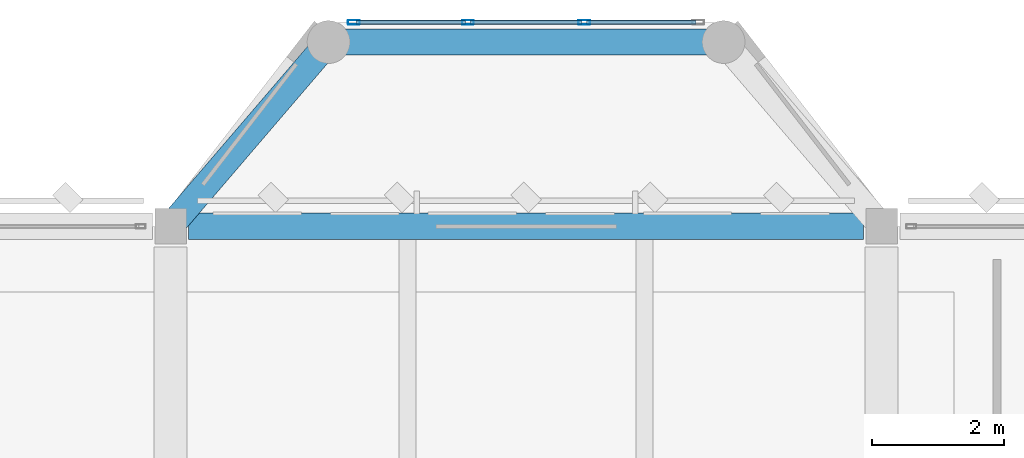
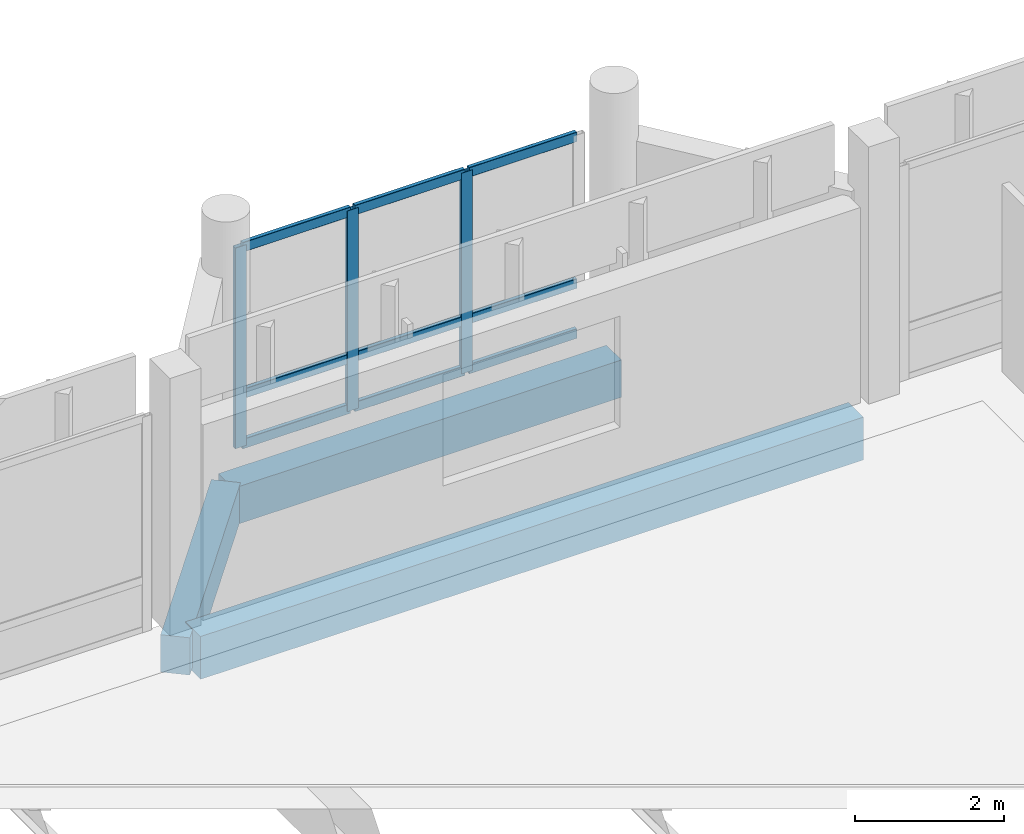
# One storey, part 23 of 72: 12 members, 3 beams, 1 element without a shape of its own.
"""IFC4 building model written with IfcOpenShell, lengths in metres."""

import ifcopenshell
import ifcopenshell.guid

model = None  # the IFC model being written
_history = None  # IfcOwnerHistory: only IFC2X3 demands one
_inside = {}  # id of a spatial element -> (the spatial element, [elements in it])
_under = {}  # id of a project, library or spatial element -> (it, [spatial elements below it])
_declared = {}  # id of a project -> (the project, [libraries it declares])
_typed = {}  # id of a type object -> (the type object, [elements of that type])
_made_of = {}  # id of a material, layer set ... -> (it, [elements and type objects made of it])


def new_model(schema):
    """Start an empty IFC model of exactly this schema.

    Asked for "IFC4X3", IfcOpenShell would pick the latest addendum, in which some entities
    have other attributes; the version numbers below select the first issue.
    IFC2X3 requires an IfcOwnerHistory on every rooted entity: one is made here for all.
    """
    global model, _history
    if schema == "IFC4X3":
        model = ifcopenshell.file(schema_version=(4, 3, 0, 0))
    else:
        model = ifcopenshell.file(schema=schema)
    _inside.clear()
    _under.clear()
    _declared.clear()
    _typed.clear()
    _made_of.clear()
    _history = None
    if model.schema == "IFC2X3":
        org = make("IfcOrganization", Name="unknown")
        user = make(
            "IfcPersonAndOrganization",
            ThePerson=make("IfcPerson", FamilyName="unknown"),
            TheOrganization=org,
        )
        app = make(
            "IfcApplication",
            ApplicationDeveloper=org,
            Version="unknown",
            ApplicationFullName="unknown",
            ApplicationIdentifier="unknown",
        )
        _history = make(
            "IfcOwnerHistory",
            OwningUser=user,
            OwningApplication=app,
            ChangeAction="ADDED",
            CreationDate=0,
        )
    return model


def make(cls, **values):
    """One entity of the class cls with the attributes given. An attribute that is None is left unset."""
    return model.create_entity(
        cls, **{name: value for name, value in values.items() if value is not None}
    )


def rooted(cls, **values):
    """An entity with a GlobalId (a new one), such as an element, a storey or a relation."""
    return make(cls, GlobalId=ifcopenshell.guid.new(), OwnerHistory=_history, **values)


def si_unit(unit_type, name, prefix=None):
    """IfcSIUnit, for example si_unit("LENGTHUNIT", "METRE", prefix="MILLI")."""
    return make("IfcSIUnit", UnitType=unit_type, Prefix=prefix, Name=name)


def assignment(units):
    """IfcUnitAssignment: the units of a project."""
    return None if units is None else make("IfcUnitAssignment", Units=units)


def point(xyz):
    """IfcCartesianPoint."""
    return None if xyz is None else make("IfcCartesianPoint", Coordinates=xyz)


def direction(xyz):
    """IfcDirection."""
    return None if xyz is None else make("IfcDirection", DirectionRatios=xyz)


def frame(location, z_axis=None, x_axis=None):
    """IfcAxis2Placement3D, a coordinate frame: its origin and axes. An axis left out is left unset."""
    return make(
        "IfcAxis2Placement3D",
        Location=point(location),
        Axis=direction(z_axis),
        RefDirection=direction(x_axis),
    )


def frame_2d(location, x_axis=None):
    """IfcAxis2Placement2D, a coordinate frame in the plane: its origin and x axis."""
    return make(
        "IfcAxis2Placement2D", Location=point(location), RefDirection=direction(x_axis)
    )


def origin():
    """The frame at (0, 0, 0) with its axes left unset."""
    return frame((0.0, 0.0, 0.0))


def origin_2d():
    """The frame at (0, 0) in the plane with its x axis left unset."""
    return frame_2d((0.0, 0.0))


def place(relative_to, where):
    """IfcLocalPlacement: puts the frame where relative to a parent placement (None: the world)."""
    return make(
        "IfcLocalPlacement", PlacementRelTo=relative_to, RelativePlacement=where
    )


def context(
    kind, dimensions, precision=None, world=None, true_north=None, identifier=None
):
    """IfcGeometricRepresentationContext, for example the 3D "Model" context."""
    return make(
        "IfcGeometricRepresentationContext",
        ContextIdentifier=identifier,
        ContextType=kind,
        CoordinateSpaceDimension=dimensions,
        Precision=precision,
        WorldCoordinateSystem=world,
        TrueNorth=true_north,
    )


def subcontext(parent, identifier, kind, view, scale=None):
    """IfcGeometricRepresentationSubContext, for example "Body" below "Model"."""
    return make(
        "IfcGeometricRepresentationSubContext",
        ContextIdentifier=identifier,
        ContextType=kind,
        ParentContext=parent,
        TargetScale=scale,
        TargetView=view,
    )


def project(units=None, contexts=None):
    """IfcProject with its units and contexts."""
    return rooted(
        "IfcProject",
        Name="project",
        RepresentationContexts=contexts,
        UnitsInContext=assignment(units),
    )


def spatial(cls, under=None, at=None, **own):
    """A site, building, storey or space (cls), placed at a placement, below another one or the project."""
    s = rooted(cls, ObjectPlacement=at, **own)
    if under is not None:
        _under.setdefault(under.id(), (under, []))[1].append(s)
    return s


def profile(cls, at=None, kind="AREA", **sizes):
    """A parametric profile (cls). Its sizes go by their IFC names, for example OverallWidth=200.0."""
    return make(cls, ProfileType=kind, Position=at, **sizes)


def rectangle(**sizes):
    """IfcRectangleProfileDef."""
    return profile("IfcRectangleProfileDef", **sizes)


def hollow_rectangle(**sizes):
    """IfcRectangleHollowProfileDef."""
    return profile("IfcRectangleHollowProfileDef", **sizes)


def extrude(swept, where, along, depth):
    """IfcExtrudedAreaSolid: the profile swept, set in the frame where, extruded along a direction by depth."""
    return make(
        "IfcExtrudedAreaSolid",
        SweptArea=swept,
        Position=where,
        ExtrudedDirection=direction(along),
        Depth=depth,
    )


def shape(context_of_items, identifier, shape_type, items):
    """IfcShapeRepresentation: the items that make up one representation, for example the "Body"."""
    return make(
        "IfcShapeRepresentation",
        ContextOfItems=context_of_items,
        RepresentationIdentifier=identifier,
        RepresentationType=shape_type,
        Items=items,
    )


def material(Name=None, Category=None):
    """IfcMaterial."""
    return make("IfcMaterial", Name=Name, Category=Category)


def material_profile(
    of_material, cross_section, Name=None, Category=None, Priority=None
):
    """IfcMaterialProfile: a cross section and its material."""
    return make(
        "IfcMaterialProfile",
        Name=Name,
        Material=of_material,
        Profile=cross_section,
        Priority=Priority,
        Category=Category,
    )


def profile_set(profiles, Name=None, composite=None):
    """IfcMaterialProfileSet."""
    return make(
        "IfcMaterialProfileSet",
        Name=Name,
        MaterialProfiles=profiles,
        CompositeProfile=composite,
    )


def made_of(thing, what):
    """Note that an element or type object is made of a material, layer set ...; save() writes the relation."""
    if what is not None:
        _made_of.setdefault(what.id(), (what, []))[1].append(thing)
    return thing


def type_object(cls, material=None, **own):
    """A type object (cls), such as IfcWallType, which elements share."""
    return made_of(rooted(cls, **own), material)


def element(
    cls,
    number,
    at=None,
    inside=None,
    cuts=None,
    type_object=None,
    material=None,
    context=None,
    identifier="Body",
    shape_type=None,
    held_by="IfcProductDefinitionShape",
    body=None,
    shapes=None,
    **own,
):
    """One element of the class cls, such as IfcWall. Its Tag is "e" and its number.

    at: its placement. inside: the storey or other place that contains it. cuts: it is an
    opening in that element (IfcRelVoidsElement). A single representation is given by context,
    identifier, shape_type and body (its items); several are given by shapes. held_by: the class
    of the entity that holds the representations. save() writes the other relations.
    """
    e = rooted(cls, Tag="e%d" % number, ObjectPlacement=at, **own)
    if body is not None:
        shapes = [shape(context, identifier, shape_type, body)]
    if shapes is not None:
        e.Representation = make(held_by, Representations=shapes)
    if inside is not None:
        _inside.setdefault(inside.id(), (inside, []))[1].append(e)
    if cuts is not None:
        rooted(
            "IfcRelVoidsElement", RelatingBuildingElement=cuts, RelatedOpeningElement=e
        )
    if type_object is not None:
        _typed.setdefault(type_object.id(), (type_object, []))[1].append(e)
    return made_of(e, material)


def aggregate(whole, parts):
    """IfcRelAggregates: a whole, such as a stair, and the parts it consists of."""
    return rooted("IfcRelAggregates", RelatingObject=whole, RelatedObjects=parts)


def save(model, path):
    """Write the relations noted so far, then the file.

    IfcRelAggregates (storeys below a building ...), IfcRelContainedInSpatialStructure (elements
    in a storey), IfcRelDefinesByType, IfcRelAssociatesMaterial and IfcRelDeclares: one each for
    every whole, place, type object, material and project.
    """
    for whole, parts in _under.values():
        aggregate(whole, parts)
    for where, things in _inside.values():
        rooted(
            "IfcRelContainedInSpatialStructure",
            RelatedElements=things,
            RelatingStructure=where,
        )
    for kind, things in _typed.values():
        rooted("IfcRelDefinesByType", RelatedObjects=things, RelatingType=kind)
    for what, things in _made_of.values():
        rooted("IfcRelAssociatesMaterial", RelatedObjects=things, RelatingMaterial=what)
    for by, libraries in _declared.values():
        rooted("IfcRelDeclares", RelatingContext=by, RelatedDefinitions=libraries)
    model.write(path)


model = new_model("IFC4")

# Units and contexts
model_context = context("Model", 3, precision=1e-05, world=origin(), true_north=direction((0.0, 1.0)))
body_context = subcontext(model_context, "Body", "Model", "MODEL_VIEW")
ifc_project = project(units=[si_unit("LENGTHUNIT", "METRE"), si_unit("AREAUNIT", "SQUARE_METRE"), si_unit("VOLUMEUNIT", "CUBIC_METRE"), si_unit("PLANEANGLEUNIT", "RADIAN"), si_unit("MASSUNIT", "GRAM", prefix="KILO")], contexts=[model_context])

# Site, building, storey
site_placement = place(None, origin())
site = spatial("IfcSite", under=ifc_project, at=site_placement, CompositionType="ELEMENT")
building_placement = place(site_placement, origin())
building = spatial("IfcBuilding", under=site, at=building_placement, Name="Lusvemor Sports Hall", CompositionType="ELEMENT")
storey_placement = place(building_placement, frame((0.0, 0.0, 15.0)))
storey = spatial("IfcBuildingStorey", under=building, at=storey_placement, Name="L03", CompositionType="ELEMENT", Elevation=15.0)

# Curtain wall, members
ifc_material_1 = material(Name="Thermally broken bronze-anodized aluminium", Category="aluminium")
curtain_wall_type = type_object("IfcCurtainWallType", Name="CW_FOYER_A", PredefinedType="NOTDEFINED", material=ifc_material_1)
curtain_wall_placement = place(storey_placement, origin())
curtain_wall = element("IfcCurtainWall", 1, at=curtain_wall_placement, inside=storey, type_object=curtain_wall_type, Name="Curtain Wall CW-BOW-N1-L03-M", PredefinedType="NOTDEFINED")
ifc_material_2 = material(Name="Thermally broken bronze-anodized aluminium", Category="aluminium")
ifc_material_profile_1 = material_profile(ifc_material_2, hollow_rectangle(XDim=0.070068359375, YDim=0.179931640625, WallThickness=0.0048828125, InnerFilletRadius=0.0048828125, OuterFilletRadius=0.010009765625, at=origin_2d()), Name="CWMUL180x70x5")
ifc_profile_set_1 = profile_set([ifc_material_profile_1], Name="Thermally broken bronze-anodized aluminium")
member_type_1 = type_object("IfcMemberType", Name="CW_MUL_A", PredefinedType="MULLION", material=ifc_profile_set_1)
member_1_placement = place(storey_placement, frame((24.385009765625, 118.300048828125, 0.0), z_axis=(0.0, 0.0, 1.0), x_axis=(0.0, 1.0, 0.0)))
member_1 = element("IfcMember", 2, at=member_1_placement, type_object=member_type_1, Name="CW01 mullion 1", PredefinedType="MULLION", context=body_context, shape_type="SweptSolid", body=[
    extrude(hollow_rectangle(XDim=0.070068359375, YDim=0.179931640625, WallThickness=0.0048828125, InnerFilletRadius=0.0048828125, OuterFilletRadius=0.010009765625, at=origin_2d()), origin(), (0.0, 0.0, 1.0), 3.280029296875),
])
member_2_placement = place(storey_placement, frame((26.11669921875, 118.300048828125, 0.0), z_axis=(0.0, 0.0, 1.0), x_axis=(0.0, 1.0, 0.0)))
member_2 = element("IfcMember", 3, at=member_2_placement, type_object=member_type_1, Name="CW01 mullion 2", PredefinedType="MULLION", context=body_context, shape_type="SweptSolid", body=[
    extrude(hollow_rectangle(XDim=0.070068359375, YDim=0.179931640625, WallThickness=0.0048828125, InnerFilletRadius=0.0048828125, OuterFilletRadius=0.010009765625, at=origin_2d()), origin(), (0.0, 0.0, 1.0), 3.280029296875),
])
member_3_placement = place(storey_placement, frame((27.88330078125, 118.300048828125, 0.0), z_axis=(0.0, 0.0, 1.0), x_axis=(0.0, 1.0, 0.0)))
member_3 = element("IfcMember", 4, at=member_3_placement, type_object=member_type_1, Name="CW01 mullion 3", PredefinedType="MULLION", context=body_context, shape_type="SweptSolid", body=[
    extrude(hollow_rectangle(XDim=0.070068359375, YDim=0.179931640625, WallThickness=0.0048828125, InnerFilletRadius=0.0048828125, OuterFilletRadius=0.010009765625, at=origin_2d()), origin(), (0.0, 0.0, 1.0), 3.280029296875),
])
ifc_material_3 = material(Name="Thermally broken bronze-anodized aluminium", Category="aluminium")
ifc_material_profile_2 = material_profile(ifc_material_3, hollow_rectangle(XDim=0.06494140625, YDim=0.159912109375, WallThickness=0.00390625, InnerFilletRadius=0.00390625, OuterFilletRadius=0.008056640625, at=origin_2d()), Name="CWTRN160x65x4")
ifc_profile_set_2 = profile_set([ifc_material_profile_2], Name="Thermally broken bronze-anodized aluminium")
member_type_2 = type_object("IfcMemberType", Name="CW_TRN_A", PredefinedType="USERDEFINED", material=ifc_profile_set_2)
member_4_placement = place(storey_placement, frame((24.419921875, 118.300048828125, 0.032470703125), z_axis=(1.0, 0.0, 0.0), x_axis=(0.0, 1.0, 0.0)))
member_4 = element("IfcMember", 5, at=member_4_placement, type_object=member_type_2, Name="CW01 transom 1.1", ObjectType="TRANSOM", PredefinedType="USERDEFINED", context=body_context, shape_type="SweptSolid", body=[
    extrude(hollow_rectangle(XDim=0.06494140625, YDim=0.159912109375, WallThickness=0.00390625, InnerFilletRadius=0.00390625, OuterFilletRadius=0.008056640625, at=origin_2d()), origin(), (0.0, 0.0, 1.0), 1.661865234375),
])
member_5_placement = place(storey_placement, frame((24.419921875, 118.300048828125, 0.85009765625), z_axis=(1.0, 0.0, 0.0), x_axis=(0.0, 1.0, 0.0)))
member_5 = element("IfcMember", 6, at=member_5_placement, type_object=member_type_2, Name="CW01 transom 1.2", ObjectType="TRANSOM", PredefinedType="USERDEFINED", context=body_context, shape_type="SweptSolid", body=[
    extrude(hollow_rectangle(XDim=0.06494140625, YDim=0.159912109375, WallThickness=0.00390625, InnerFilletRadius=0.00390625, OuterFilletRadius=0.008056640625, at=origin_2d()), origin(), (0.0, 0.0, 1.0), 1.661865234375),
])
member_6_placement = place(storey_placement, frame((24.419921875, 118.300048828125, 3.24755859375), z_axis=(1.0, 0.0, 0.0), x_axis=(0.0, 1.0, 0.0)))
member_6 = element("IfcMember", 7, at=member_6_placement, type_object=member_type_2, Name="CW01 transom 1.3", ObjectType="TRANSOM", PredefinedType="USERDEFINED", context=body_context, shape_type="SweptSolid", body=[
    extrude(hollow_rectangle(XDim=0.06494140625, YDim=0.159912109375, WallThickness=0.00390625, InnerFilletRadius=0.00390625, OuterFilletRadius=0.008056640625, at=origin_2d()), origin(), (0.0, 0.0, 1.0), 1.661865234375),
])
member_7_placement = place(storey_placement, frame((26.151611328125, 118.300048828125, 0.032470703125), z_axis=(1.0, 0.0, 0.0), x_axis=(0.0, 1.0, 0.0)))
member_7 = element("IfcMember", 8, at=member_7_placement, type_object=member_type_2, Name="CW01 transom 2.1", ObjectType="TRANSOM", PredefinedType="USERDEFINED", context=body_context, shape_type="SweptSolid", body=[
    extrude(hollow_rectangle(XDim=0.06494140625, YDim=0.159912109375, WallThickness=0.00390625, InnerFilletRadius=0.00390625, OuterFilletRadius=0.008056640625, at=origin_2d()), origin(), (0.0, 0.0, 1.0), 1.69677734375),
])
member_8_placement = place(storey_placement, frame((26.151611328125, 118.300048828125, 0.85009765625), z_axis=(1.0, 0.0, 0.0), x_axis=(0.0, 1.0, 0.0)))
member_8 = element("IfcMember", 9, at=member_8_placement, type_object=member_type_2, Name="CW01 transom 2.2", ObjectType="TRANSOM", PredefinedType="USERDEFINED", context=body_context, shape_type="SweptSolid", body=[
    extrude(hollow_rectangle(XDim=0.06494140625, YDim=0.159912109375, WallThickness=0.00390625, InnerFilletRadius=0.00390625, OuterFilletRadius=0.008056640625, at=origin_2d()), origin(), (0.0, 0.0, 1.0), 1.69677734375),
])
member_9_placement = place(storey_placement, frame((26.151611328125, 118.300048828125, 3.24755859375), z_axis=(1.0, 0.0, 0.0), x_axis=(0.0, 1.0, 0.0)))
member_9 = element("IfcMember", 10, at=member_9_placement, type_object=member_type_2, Name="CW01 transom 2.3", ObjectType="TRANSOM", PredefinedType="USERDEFINED", context=body_context, shape_type="SweptSolid", body=[
    extrude(hollow_rectangle(XDim=0.06494140625, YDim=0.159912109375, WallThickness=0.00390625, InnerFilletRadius=0.00390625, OuterFilletRadius=0.008056640625, at=origin_2d()), origin(), (0.0, 0.0, 1.0), 1.69677734375),
])
member_10_placement = place(storey_placement, frame((27.918212890625, 118.300048828125, 0.032470703125), z_axis=(1.0, 0.0, 0.0), x_axis=(0.0, 1.0, 0.0)))
member_10 = element("IfcMember", 11, at=member_10_placement, type_object=member_type_2, Name="CW01 transom 3.1", ObjectType="TRANSOM", PredefinedType="USERDEFINED", context=body_context, shape_type="SweptSolid", body=[
    extrude(hollow_rectangle(XDim=0.06494140625, YDim=0.159912109375, WallThickness=0.00390625, InnerFilletRadius=0.00390625, OuterFilletRadius=0.008056640625, at=origin_2d()), origin(), (0.0, 0.0, 1.0), 1.661865234375),
])
member_11_placement = place(storey_placement, frame((27.918212890625, 118.300048828125, 0.85009765625), z_axis=(1.0, 0.0, 0.0), x_axis=(0.0, 1.0, 0.0)))
member_11 = element("IfcMember", 12, at=member_11_placement, type_object=member_type_2, Name="CW01 transom 3.2", ObjectType="TRANSOM", PredefinedType="USERDEFINED", context=body_context, shape_type="SweptSolid", body=[
    extrude(hollow_rectangle(XDim=0.06494140625, YDim=0.159912109375, WallThickness=0.00390625, InnerFilletRadius=0.00390625, OuterFilletRadius=0.008056640625, at=origin_2d()), origin(), (0.0, 0.0, 1.0), 1.661865234375),
])
member_12_placement = place(storey_placement, frame((27.918212890625, 118.300048828125, 3.24755859375), z_axis=(1.0, 0.0, 0.0), x_axis=(0.0, 1.0, 0.0)))
member_12 = element("IfcMember", 13, at=member_12_placement, type_object=member_type_2, Name="CW01 transom 3.3", ObjectType="TRANSOM", PredefinedType="USERDEFINED", context=body_context, shape_type="SweptSolid", body=[
    extrude(hollow_rectangle(XDim=0.06494140625, YDim=0.159912109375, WallThickness=0.00390625, InnerFilletRadius=0.00390625, OuterFilletRadius=0.008056640625, at=origin_2d()), origin(), (0.0, 0.0, 1.0), 1.661865234375),
])
aggregate(curtain_wall, [member_1, member_2, member_3, member_4, member_5, member_6, member_7, member_8, member_9, member_10, member_11, member_12])

# Beams
ifc_material_4 = material(Name="Concrete C40/50", Category="concrete")
ifc_material_profile_3 = material_profile(ifc_material_4, rectangle(XDim=0.39990234375, YDim=0.610107421875, at=origin_2d()), Name="RC400x610")
ifc_profile_set_3 = profile_set([ifc_material_profile_3], Name="Concrete C40/50")
beam_type_1 = type_object("IfcBeamType", Name="SPAND_EXT_650", PredefinedType="SPANDREL", material=ifc_profile_set_3)
beam_1_placement = place(storey_placement, frame((21.60009765625, 115.199951171875, -0.56494140625), z_axis=(0.650769565339, 0.759275294494, 0.0), x_axis=(-0.759275294494, 0.650769565339, 0.0)))
element("IfcBeam", 14, at=beam_1_placement, inside=storey, type_object=beam_type_1, Name="Bow Pavilion Edge Beam BOW-N1 L03-1", PredefinedType="SPANDREL", context=body_context, shape_type="SweptSolid", body=[
    extrude(rectangle(XDim=0.39990234375, YDim=0.610107421875, at=origin_2d()), origin(), (0.0, 0.0, 1.0), 3.687744140625),
])
beam_2_placement = place(storey_placement, frame((24.0, 118.0, -0.56494140625), z_axis=(1.0, 0.0, 0.0), x_axis=(0.0, 1.0, 0.0)))
element("IfcBeam", 15, at=beam_2_placement, inside=storey, type_object=beam_type_1, Name="Bow Pavilion Edge Beam BOW-N1 L03-2", PredefinedType="SPANDREL", context=body_context, shape_type="SweptSolid", body=[
    extrude(rectangle(XDim=0.39990234375, YDim=0.610107421875, at=origin_2d()), origin(), (0.0, 0.0, 1.0), 6.0),
])
ifc_material_5 = material(Name="Concrete C40/50", Category="concrete")
ifc_material_profile_4 = material_profile(ifc_material_5, rectangle(XDim=0.39990234375, YDim=0.699951171875, at=origin_2d()), Name="RC400x700")
ifc_profile_set_4 = profile_set([ifc_material_profile_4], Name="Concrete C40/50")
beam_type_2 = type_object("IfcBeamType", Name="SPAND_EXT_700", PredefinedType="SPANDREL", material=ifc_profile_set_4)
beam_3_placement = place(storey_placement, frame((21.8759765625, 115.199951171875, -0.590087890625), z_axis=(1.0, 0.0, 0.0), x_axis=(0.0, 1.0, 0.0)))
element("IfcBeam", 16, at=beam_3_placement, inside=storey, type_object=beam_type_2, Name="Beam L03 Q:3-4", PredefinedType="SPANDREL", context=body_context, shape_type="SweptSolid", body=[
    extrude(rectangle(XDim=0.39990234375, YDim=0.699951171875, at=origin_2d()), origin(), (0.0, 0.0, 1.0), 10.248046875),
])

save(model, "model.ifc")
